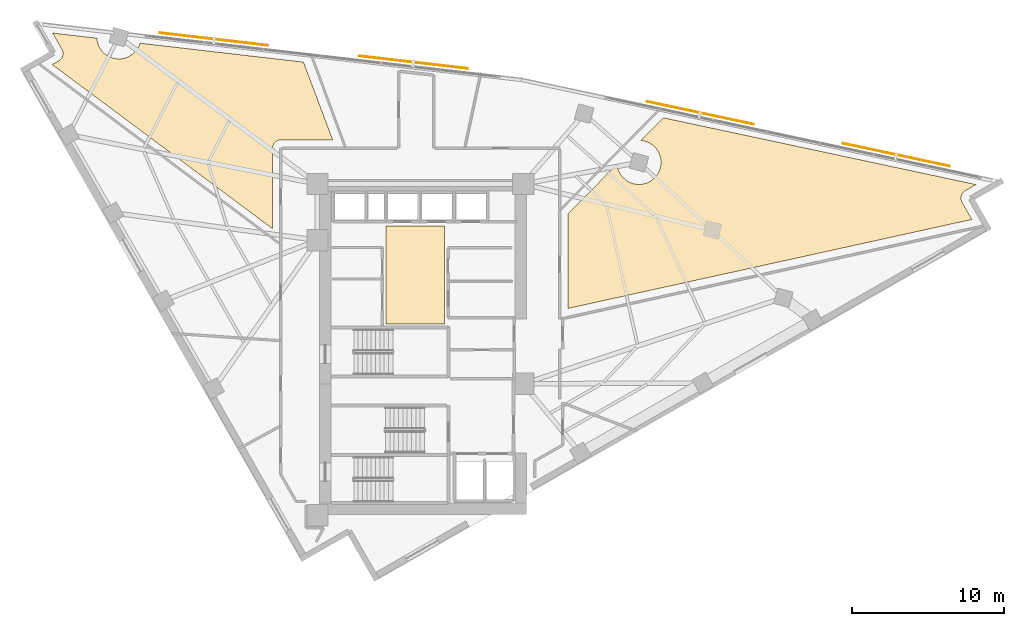
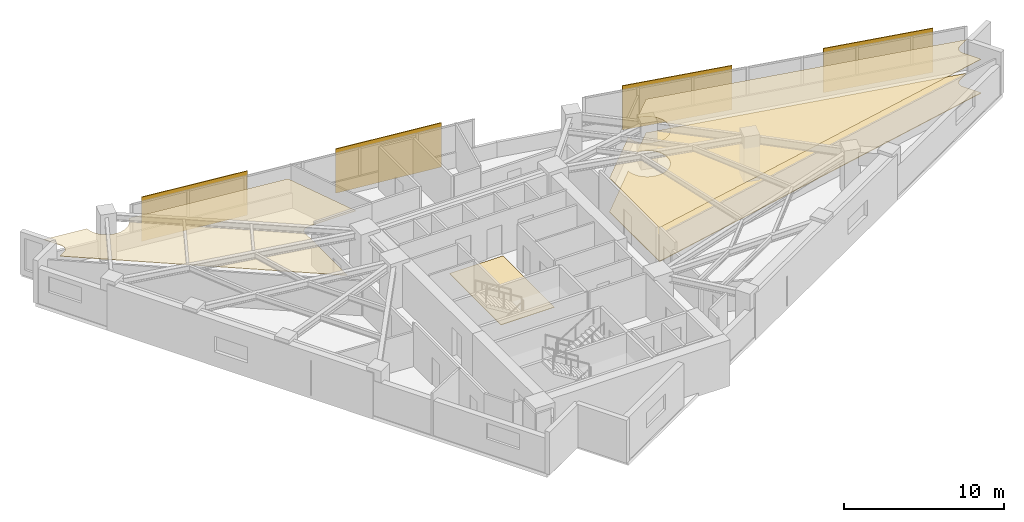
# One storey, part 13 of 13: 4 coverings, 4 shading devices.
"""IFC4 building model written with IfcOpenShell, lengths in metres."""

import ifcopenshell
import ifcopenshell.guid

model = None  # the IFC model being written
_history = None  # IfcOwnerHistory: only IFC2X3 demands one
_inside = {}  # id of a spatial element -> (the spatial element, [elements in it])
_under = {}  # id of a project, library or spatial element -> (it, [spatial elements below it])
_declared = {}  # id of a project -> (the project, [libraries it declares])
_typed = {}  # id of a type object -> (the type object, [elements of that type])
_made_of = {}  # id of a material, layer set ... -> (it, [elements and type objects made of it])


def new_model(schema):
    """Start an empty IFC model of exactly this schema.

    Asked for "IFC4X3", IfcOpenShell would pick the latest addendum, in which some entities
    have other attributes; the version numbers below select the first issue.
    IFC2X3 requires an IfcOwnerHistory on every rooted entity: one is made here for all.
    """
    global model, _history
    if schema == "IFC4X3":
        model = ifcopenshell.file(schema_version=(4, 3, 0, 0))
    else:
        model = ifcopenshell.file(schema=schema)
    _inside.clear()
    _under.clear()
    _declared.clear()
    _typed.clear()
    _made_of.clear()
    _history = None
    if model.schema == "IFC2X3":
        org = make("IfcOrganization", Name="unknown")
        user = make(
            "IfcPersonAndOrganization",
            ThePerson=make("IfcPerson", FamilyName="unknown"),
            TheOrganization=org,
        )
        app = make(
            "IfcApplication",
            ApplicationDeveloper=org,
            Version="unknown",
            ApplicationFullName="unknown",
            ApplicationIdentifier="unknown",
        )
        _history = make(
            "IfcOwnerHistory",
            OwningUser=user,
            OwningApplication=app,
            ChangeAction="ADDED",
            CreationDate=0,
        )
    return model


def make(cls, **values):
    """One entity of the class cls with the attributes given. An attribute that is None is left unset."""
    return model.create_entity(
        cls, **{name: value for name, value in values.items() if value is not None}
    )


def rooted(cls, **values):
    """An entity with a GlobalId (a new one), such as an element, a storey or a relation."""
    return make(cls, GlobalId=ifcopenshell.guid.new(), OwnerHistory=_history, **values)


def si_unit(unit_type, name, prefix=None):
    """IfcSIUnit, for example si_unit("LENGTHUNIT", "METRE", prefix="MILLI")."""
    return make("IfcSIUnit", UnitType=unit_type, Prefix=prefix, Name=name)


def assignment(units):
    """IfcUnitAssignment: the units of a project."""
    return None if units is None else make("IfcUnitAssignment", Units=units)


def point(xyz):
    """IfcCartesianPoint."""
    return None if xyz is None else make("IfcCartesianPoint", Coordinates=xyz)


def direction(xyz):
    """IfcDirection."""
    return None if xyz is None else make("IfcDirection", DirectionRatios=xyz)


def frame(location, z_axis=None, x_axis=None):
    """IfcAxis2Placement3D, a coordinate frame: its origin and axes. An axis left out is left unset."""
    return make(
        "IfcAxis2Placement3D",
        Location=point(location),
        Axis=direction(z_axis),
        RefDirection=direction(x_axis),
    )


def frame_2d(location, x_axis=None):
    """IfcAxis2Placement2D, a coordinate frame in the plane: its origin and x axis."""
    return make(
        "IfcAxis2Placement2D", Location=point(location), RefDirection=direction(x_axis)
    )


def origin():
    """The frame at (0, 0, 0) with its axes left unset."""
    return frame((0.0, 0.0, 0.0))


def origin_2d():
    """The frame at (0, 0) in the plane with its x axis left unset."""
    return frame_2d((0.0, 0.0))


def place(relative_to, where):
    """IfcLocalPlacement: puts the frame where relative to a parent placement (None: the world)."""
    return make(
        "IfcLocalPlacement", PlacementRelTo=relative_to, RelativePlacement=where
    )


def context(
    kind, dimensions, precision=None, world=None, true_north=None, identifier=None
):
    """IfcGeometricRepresentationContext, for example the 3D "Model" context."""
    return make(
        "IfcGeometricRepresentationContext",
        ContextIdentifier=identifier,
        ContextType=kind,
        CoordinateSpaceDimension=dimensions,
        Precision=precision,
        WorldCoordinateSystem=world,
        TrueNorth=true_north,
    )


def subcontext(parent, identifier, kind, view, scale=None):
    """IfcGeometricRepresentationSubContext, for example "Body" below "Model"."""
    return make(
        "IfcGeometricRepresentationSubContext",
        ContextIdentifier=identifier,
        ContextType=kind,
        ParentContext=parent,
        TargetScale=scale,
        TargetView=view,
    )


def project(units=None, contexts=None):
    """IfcProject with its units and contexts."""
    return rooted(
        "IfcProject",
        Name="project",
        RepresentationContexts=contexts,
        UnitsInContext=assignment(units),
    )


def spatial(cls, under=None, at=None, **own):
    """A site, building, storey or space (cls), placed at a placement, below another one or the project."""
    s = rooted(cls, ObjectPlacement=at, **own)
    if under is not None:
        _under.setdefault(under.id(), (under, []))[1].append(s)
    return s


def polyline(points):
    """IfcPolyline through the points."""
    return make("IfcPolyline", Points=[point(p) for p in points])


def profile(cls, at=None, kind="AREA", **sizes):
    """A parametric profile (cls). Its sizes go by their IFC names, for example OverallWidth=200.0."""
    return make(cls, ProfileType=kind, Position=at, **sizes)


def rectangle(**sizes):
    """IfcRectangleProfileDef."""
    return profile("IfcRectangleProfileDef", **sizes)


def outline(outer, holes=None, kind="AREA"):
    """IfcArbitraryClosedProfileDef: a profile drawn as a closed curve; with holes, ...WithVoids."""
    if holes is None:
        return make("IfcArbitraryClosedProfileDef", ProfileType=kind, OuterCurve=outer)
    return make(
        "IfcArbitraryProfileDefWithVoids",
        ProfileType=kind,
        OuterCurve=outer,
        InnerCurves=holes,
    )


def extrude(swept, where, along, depth):
    """IfcExtrudedAreaSolid: the profile swept, set in the frame where, extruded along a direction by depth."""
    return make(
        "IfcExtrudedAreaSolid",
        SweptArea=swept,
        Position=where,
        ExtrudedDirection=direction(along),
        Depth=depth,
    )


def shape(context_of_items, identifier, shape_type, items):
    """IfcShapeRepresentation: the items that make up one representation, for example the "Body"."""
    return make(
        "IfcShapeRepresentation",
        ContextOfItems=context_of_items,
        RepresentationIdentifier=identifier,
        RepresentationType=shape_type,
        Items=items,
    )


def material(Name=None, Category=None):
    """IfcMaterial."""
    return make("IfcMaterial", Name=Name, Category=Category)


def layer(
    of_material, thickness, ventilated=None, Name=None, Category=None, Priority=None
):
    """IfcMaterialLayer: one layer of a wall or slab, of a material (None: an air gap)."""
    return make(
        "IfcMaterialLayer",
        Material=of_material,
        LayerThickness=thickness,
        IsVentilated=ventilated,
        Name=Name,
        Category=Category,
        Priority=Priority,
    )


def layer_set(layers, Name=None):
    """IfcMaterialLayerSet."""
    return make("IfcMaterialLayerSet", MaterialLayers=layers, LayerSetName=Name)


def made_of(thing, what):
    """Note that an element or type object is made of a material, layer set ...; save() writes the relation."""
    if what is not None:
        _made_of.setdefault(what.id(), (what, []))[1].append(thing)
    return thing


def type_object(cls, material=None, **own):
    """A type object (cls), such as IfcWallType, which elements share."""
    return made_of(rooted(cls, **own), material)


def element(
    cls,
    number,
    at=None,
    inside=None,
    cuts=None,
    type_object=None,
    material=None,
    context=None,
    identifier="Body",
    shape_type=None,
    held_by="IfcProductDefinitionShape",
    body=None,
    shapes=None,
    **own,
):
    """One element of the class cls, such as IfcWall. Its Tag is "e" and its number.

    at: its placement. inside: the storey or other place that contains it. cuts: it is an
    opening in that element (IfcRelVoidsElement). A single representation is given by context,
    identifier, shape_type and body (its items); several are given by shapes. held_by: the class
    of the entity that holds the representations. save() writes the other relations.
    """
    e = rooted(cls, Tag="e%d" % number, ObjectPlacement=at, **own)
    if body is not None:
        shapes = [shape(context, identifier, shape_type, body)]
    if shapes is not None:
        e.Representation = make(held_by, Representations=shapes)
    if inside is not None:
        _inside.setdefault(inside.id(), (inside, []))[1].append(e)
    if cuts is not None:
        rooted(
            "IfcRelVoidsElement", RelatingBuildingElement=cuts, RelatedOpeningElement=e
        )
    if type_object is not None:
        _typed.setdefault(type_object.id(), (type_object, []))[1].append(e)
    return made_of(e, material)


def aggregate(whole, parts):
    """IfcRelAggregates: a whole, such as a stair, and the parts it consists of."""
    return rooted("IfcRelAggregates", RelatingObject=whole, RelatedObjects=parts)


def save(model, path):
    """Write the relations noted so far, then the file.

    IfcRelAggregates (storeys below a building ...), IfcRelContainedInSpatialStructure (elements
    in a storey), IfcRelDefinesByType, IfcRelAssociatesMaterial and IfcRelDeclares: one each for
    every whole, place, type object, material and project.
    """
    for whole, parts in _under.values():
        aggregate(whole, parts)
    for where, things in _inside.values():
        rooted(
            "IfcRelContainedInSpatialStructure",
            RelatedElements=things,
            RelatingStructure=where,
        )
    for kind, things in _typed.values():
        rooted("IfcRelDefinesByType", RelatedObjects=things, RelatingType=kind)
    for what, things in _made_of.values():
        rooted("IfcRelAssociatesMaterial", RelatedObjects=things, RelatingMaterial=what)
    for by, libraries in _declared.values():
        rooted("IfcRelDeclares", RelatingContext=by, RelatedDefinitions=libraries)
    model.write(path)


model = new_model("IFC4")

# Units and contexts
model_context = context("Model", 3, precision=1e-05, world=origin(), true_north=direction((0.0, 1.0)))
body_context = subcontext(model_context, "Body", "Model", "MODEL_VIEW")
ifc_project = project(units=[si_unit("LENGTHUNIT", "METRE"), si_unit("AREAUNIT", "SQUARE_METRE"), si_unit("VOLUMEUNIT", "CUBIC_METRE"), si_unit("PLANEANGLEUNIT", "RADIAN"), si_unit("MASSUNIT", "GRAM", prefix="KILO")], contexts=[model_context])

# Site, building, storey
site_placement = place(None, origin())
site = spatial("IfcSite", under=ifc_project, at=site_placement, CompositionType="ELEMENT")
building_placement = place(site_placement, origin())
building = spatial("IfcBuilding", under=site, at=building_placement, Name="Narakoshi Arena Tower", CompositionType="ELEMENT")
storey_placement = place(building_placement, frame((0.0, 0.0, 222.02001953125)))
storey = spatial("IfcBuildingStorey", under=building, at=storey_placement, Name="L60", CompositionType="ELEMENT", Elevation=222.02001953125)

# Coverings
ifc_material_1 = material(Name="Acoustic mineral-fibre ceiling tile")
ifc_layer_1 = layer(ifc_material_1, 0.02001953125)
ifc_layer_set_1 = layer_set([ifc_layer_1], Name="Acoustic mineral-fibre ceiling tile")
covering_type_1 = type_object("IfcCoveringType", Name="COV-CLG-AC20", PredefinedType="CEILING", material=ifc_layer_set_1)
covering_1_placement = place(storey_placement, frame((0.0, 0.0, 2.590087890625)))
element("IfcCovering", 1, at=covering_1_placement, inside=storey, type_object=covering_type_1, Name="L60 Suspended Acoustic Ceiling 1", PredefinedType="CEILING", context=body_context, shape_type="SweptSolid", body=[
    extrude(outline(polyline([(114.636962890625, 56.05078125), (114.591552734375, 56.021728515625), (114.549072265625, 55.98828125), (114.510009765625, 55.950927734375), (114.47509765625, 55.909912109375), (114.444091796875, 55.86572265625), (114.417724609375, 55.818603515625), (114.39599609375, 55.769287109375), (114.37939453125, 55.718017578125), (114.36767578125, 55.665283203125), (114.361083984375, 55.61181640625), (114.360107421875, 55.5576171875), (114.3642578125, 55.50390625), (114.373779296875, 55.45068359375), (114.38818359375, 55.398681640625), (114.407958984375, 55.348388671875), (114.432373046875, 55.30029296875), (115.080078125, 54.167236328125), (88.50537109375, 48.313232421875), (88.50537109375, 54.559326171875), (91.722900390625, 57.793701171875), (91.723388671875, 57.78173828125), (91.744384765625, 57.64111328125), (91.77880859375, 57.5029296875), (91.826904296875, 57.368896484375), (91.8876953125, 57.240478515625), (91.960693359375, 57.118408203125), (92.04541015625, 57.00390625), (92.14111328125, 56.898681640625), (92.24658203125, 56.802978515625), (92.36083984375, 56.71826171875), (92.48291015625, 56.64501953125), (92.611572265625, 56.584228515625), (92.74560546875, 56.536376953125), (92.883544921875, 56.501708984375), (93.0244140625, 56.48095703125), (93.16650390625, 56.473876953125), (93.30859375, 56.48095703125), (93.44921875, 56.501708984375), (93.58740234375, 56.536376953125), (93.72119140625, 56.584228515625), (93.849853515625, 56.64501953125), (93.971923828125, 56.71826171875), (94.086181640625, 56.802978515625), (94.191650390625, 56.898681640625), (94.287353515625, 57.00390625), (94.3720703125, 57.118408203125), (94.4453125, 57.240478515625), (94.506103515625, 57.368896484375), (94.553955078125, 57.5029296875), (94.58837890625, 57.64111328125), (94.609375, 57.78173828125), (94.616455078125, 57.923828125), (94.609375, 58.06591796875), (94.58837890625, 58.206787109375), (94.553955078125, 58.3447265625), (94.506103515625, 58.478759765625), (94.4453125, 58.607421875), (94.3720703125, 58.7294921875), (94.287353515625, 58.84375), (94.191650390625, 58.94921875), (94.086181640625, 59.044921875), (93.971923828125, 59.12939453125), (93.849853515625, 59.20263671875), (93.72119140625, 59.263427734375), (93.58740234375, 59.3115234375), (93.44921875, 59.345947265625), (93.30859375, 59.366943359375), (93.288818359375, 59.367919921875), (94.77294921875, 60.860107421875), (115.35791015625, 56.462890625), (114.636962890625, 56.05078125)])), origin(), (0.0, 0.0, 1.0), 0.019775390625),
])
ifc_material_2 = material(Name="Slatted oak acoustic timber baffle", Category="wood")
ifc_layer_2 = layer(ifc_material_2, 0.034912109375)
ifc_layer_set_2 = layer_set([ifc_layer_2], Name="Slatted oak acoustic timber baffle")
covering_type_2 = type_object("IfcCoveringType", Name="COV-CLG-WD35", PredefinedType="CEILING", material=ifc_layer_set_2)
covering_2_placement = place(storey_placement, frame((0.0, 0.0, 2.574951171875)))
element("IfcCovering", 2, at=covering_2_placement, inside=storey, type_object=covering_type_2, Name="L60 Suspended Acoustic Ceiling 2", PredefinedType="CEILING", context=body_context, shape_type="SweptSolid", body=[
    extrude(outline(polyline([(55.026611328125, 64.644287109375), (55.069091796875, 64.677734375), (55.10791015625, 64.715087890625), (55.14306640625, 64.756103515625), (55.174072265625, 64.80029296875), (55.200439453125, 64.847412109375), (55.22216796875, 64.89697265625), (55.23876953125, 64.9482421875), (55.25048828125, 65.0009765625), (55.2568359375, 65.054443359375), (55.258056640625, 65.1083984375), (55.25390625, 65.162353515625), (55.244384765625, 65.215576171875), (55.229736328125, 65.267333984375), (55.210205078125, 65.317626953125), (55.185791015625, 65.36572265625), (54.573486328125, 66.43701171875), (57.48828125, 66.099609375), (57.4912109375, 66.041748046875), (57.51220703125, 65.90087890625), (57.546630859375, 65.762939453125), (57.5947265625, 65.62890625), (57.655517578125, 65.500244140625), (57.728759765625, 65.378173828125), (57.8134765625, 65.263916015625), (57.908935546875, 65.158447265625), (58.014404296875, 65.06298828125), (58.128662109375, 64.978271484375), (58.250732421875, 64.905029296875), (58.37939453125, 64.84423828125), (58.513427734375, 64.796142578125), (58.6513671875, 64.76171875), (58.792236328125, 64.74072265625), (58.934326171875, 64.73388671875), (59.076416015625, 64.74072265625), (59.21728515625, 64.76171875), (59.355224609375, 64.796142578125), (59.4892578125, 64.84423828125), (59.617919921875, 64.905029296875), (59.739990234375, 64.978271484375), (59.854248046875, 65.06298828125), (59.959716796875, 65.158447265625), (60.05517578125, 65.263916015625), (60.139892578125, 65.378173828125), (60.213134765625, 65.500244140625), (60.27392578125, 65.62890625), (60.322021484375, 65.762939453125), (60.323974609375, 65.771240234375), (71.084228515625, 64.525390625), (73.00927734375, 59.405517578125), (69.594482421875, 59.405517578125), (69.540771484375, 59.40283203125), (69.4873046875, 59.394775390625), (69.434814453125, 59.381591796875), (69.384033203125, 59.363525390625), (69.335205078125, 59.340576171875), (69.2890625, 59.312744140625), (69.24560546875, 59.280517578125), (69.205810546875, 59.244384765625), (69.16943359375, 59.204345703125), (69.13720703125, 59.160888671875), (69.109619140625, 59.11474609375), (69.08642578125, 59.06591796875), (69.068359375, 59.01513671875), (69.05517578125, 58.962646484375), (69.047119140625, 58.9091796875), (69.044677734375, 58.85546875), (69.044677734375, 53.563720703125), (54.539306640625, 64.363037109375), (54.981201171875, 64.615478515625), (55.026611328125, 64.644287109375)])), origin(), (0.0, 0.0, 1.0), 0.034912109375),
])
ifc_material_3 = material(Name="Raised steel access floor panel", Category="steel")
ifc_layer_3 = layer(ifc_material_3, 0.044921875)
ifc_layer_set_3 = layer_set([ifc_layer_3], Name="Raised steel access floor panel")
covering_type_3 = type_object("IfcCoveringType", Name="COV-FLR-RF45", PredefinedType="FLOORING", material=ifc_layer_set_3)
covering_3_placement = place(storey_placement, origin())
element("IfcCovering", 3, at=covering_3_placement, inside=storey, type_object=covering_type_3, Name="L60 Raised Steel Access Floor", PredefinedType="FLOORING", context=body_context, shape_type="SweptSolid", body=[
    extrude(outline(polyline([(114.636962890625, 56.05078125), (114.591552734375, 56.021728515625), (114.549072265625, 55.98828125), (114.510009765625, 55.950927734375), (114.47509765625, 55.909912109375), (114.444091796875, 55.86572265625), (114.417724609375, 55.818603515625), (114.39599609375, 55.769287109375), (114.37939453125, 55.718017578125), (114.36767578125, 55.665283203125), (114.361083984375, 55.61181640625), (114.360107421875, 55.5576171875), (114.3642578125, 55.50390625), (114.373779296875, 55.45068359375), (114.38818359375, 55.398681640625), (114.407958984375, 55.348388671875), (114.432373046875, 55.30029296875), (115.080078125, 54.167236328125), (88.50537109375, 48.313232421875), (88.50537109375, 54.559326171875), (91.722900390625, 57.793701171875), (91.723388671875, 57.78173828125), (91.744384765625, 57.64111328125), (91.77880859375, 57.5029296875), (91.826904296875, 57.368896484375), (91.8876953125, 57.240478515625), (91.960693359375, 57.118408203125), (92.04541015625, 57.00390625), (92.14111328125, 56.898681640625), (92.24658203125, 56.802978515625), (92.36083984375, 56.71826171875), (92.48291015625, 56.64501953125), (92.611572265625, 56.584228515625), (92.74560546875, 56.536376953125), (92.883544921875, 56.501708984375), (93.0244140625, 56.48095703125), (93.16650390625, 56.473876953125), (93.30859375, 56.48095703125), (93.44921875, 56.501708984375), (93.58740234375, 56.536376953125), (93.72119140625, 56.584228515625), (93.849853515625, 56.64501953125), (93.971923828125, 56.71826171875), (94.086181640625, 56.802978515625), (94.191650390625, 56.898681640625), (94.287353515625, 57.00390625), (94.3720703125, 57.118408203125), (94.4453125, 57.240478515625), (94.506103515625, 57.368896484375), (94.553955078125, 57.5029296875), (94.58837890625, 57.64111328125), (94.609375, 57.78173828125), (94.616455078125, 57.923828125), (94.609375, 58.06591796875), (94.58837890625, 58.206787109375), (94.553955078125, 58.3447265625), (94.506103515625, 58.478759765625), (94.4453125, 58.607421875), (94.3720703125, 58.7294921875), (94.287353515625, 58.84375), (94.191650390625, 58.94921875), (94.086181640625, 59.044921875), (93.971923828125, 59.12939453125), (93.849853515625, 59.20263671875), (93.72119140625, 59.263427734375), (93.58740234375, 59.3115234375), (93.44921875, 59.345947265625), (93.30859375, 59.366943359375), (93.288818359375, 59.367919921875), (94.77294921875, 60.860107421875), (115.35791015625, 56.462890625), (114.636962890625, 56.05078125)])), origin(), (0.0, 0.0, 1.0), 0.044921875),
])
ifc_material_4 = material(Name="Honed granite stone paving", Category="masonry")
ifc_layer_4 = layer(ifc_material_4, 0.030029296875)
ifc_layer_set_4 = layer_set([ifc_layer_4], Name="Honed granite stone paving")
covering_type_4 = type_object("IfcCoveringType", Name="COV-FLR-ST30", PredefinedType="FLOORING", material=ifc_layer_set_4)
covering_4_placement = place(storey_placement, origin())
element("IfcCovering", 4, at=covering_4_placement, inside=storey, type_object=covering_type_4, Name="L60 Lift Lobby Granite Flooring", PredefinedType="FLOORING", context=body_context, shape_type="SweptSolid", body=[
    extrude(outline(polyline([(76.5, 47.300048828125), (80.35009765625, 47.300048828125), (80.35009765625, 53.75), (76.5, 53.75), (76.5, 47.300048828125)])), origin(), (0.0, 0.0, 1.0), 0.030029296875),
])

# Shading devices
ifc_material_5 = material(Name="Perforated bronze ceramic-metal composite")
ifc_layer_5 = layer(ifc_material_5, 0.06005859375)
ifc_layer_set_5 = layer_set([ifc_layer_5], Name="Perforated bronze ceramic-metal composite")
shading_device_type = type_object("IfcShadingDeviceType", Name="SHD-SCR-BRZ2", PredefinedType="USERDEFINED", material=ifc_layer_set_5)
for number, where, z_axis, x_axis, name in (
    (5, (110.10107421875, 58.42431640625, 0.0), (0.0, 0.0, 1.0), (-0.977936632473, 0.208901754101, 0.0), "L60 Perforated Bronze Solar Screen 1-1"),
    (6, (97.1923828125, 61.181640625, 0.0), (0.0, 0.0, 1.0), (-0.977936632473, 0.208901754101, 0.0), "L60 Perforated Bronze Solar Screen 1-2"),
    (7, (78.312255859375, 64.513916015625, 0.0), (0.0, 0.0, 1.0), (-0.993364739053, 0.115006500715, 0.0), "L60 Perforated Bronze Solar Screen 2-1"),
    (8, (65.199951171875, 66.031982421875, 0.0), (0.0, 0.0, 1.0), (-0.993364739053, 0.115006500715, 0.0), "L60 Perforated Bronze Solar Screen 2-2"),
):
    element("IfcShadingDevice", number, at=place(storey_placement, frame(where, z_axis=z_axis, x_axis=x_axis)), inside=storey, type_object=shading_device_type, Name=name, ObjectType="SOLAR SCREEN", PredefinedType="USERDEFINED", context=body_context, shape_type="SweptSolid", body=[
        extrude(rectangle(XDim=7.199951171875, YDim=0.06005859375, at=origin_2d()), origin(), (0.0, 0.0, 1.0), 3.3701171875),
    ])

save(model, "model.ifc")
